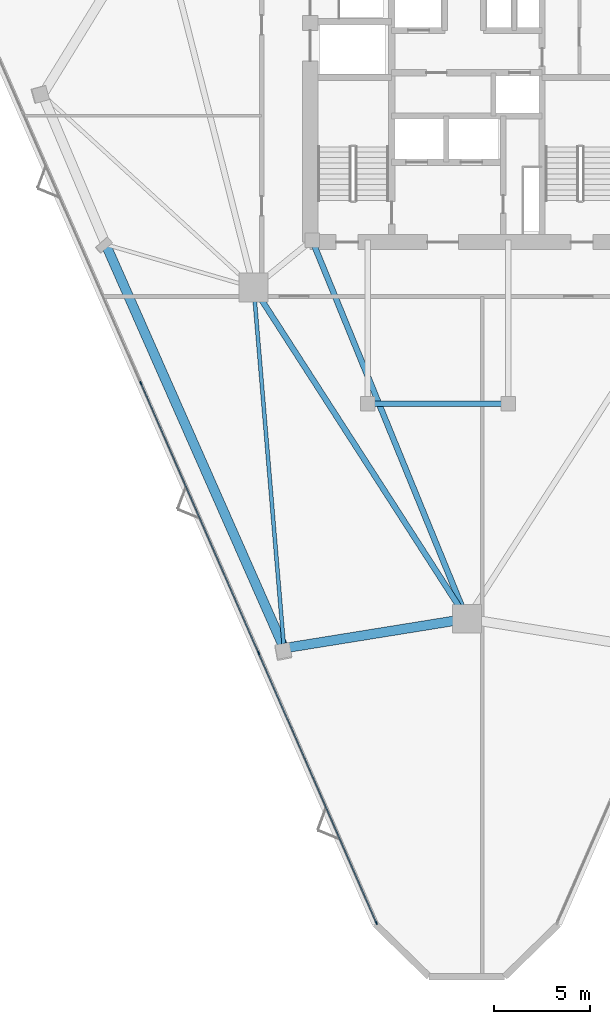
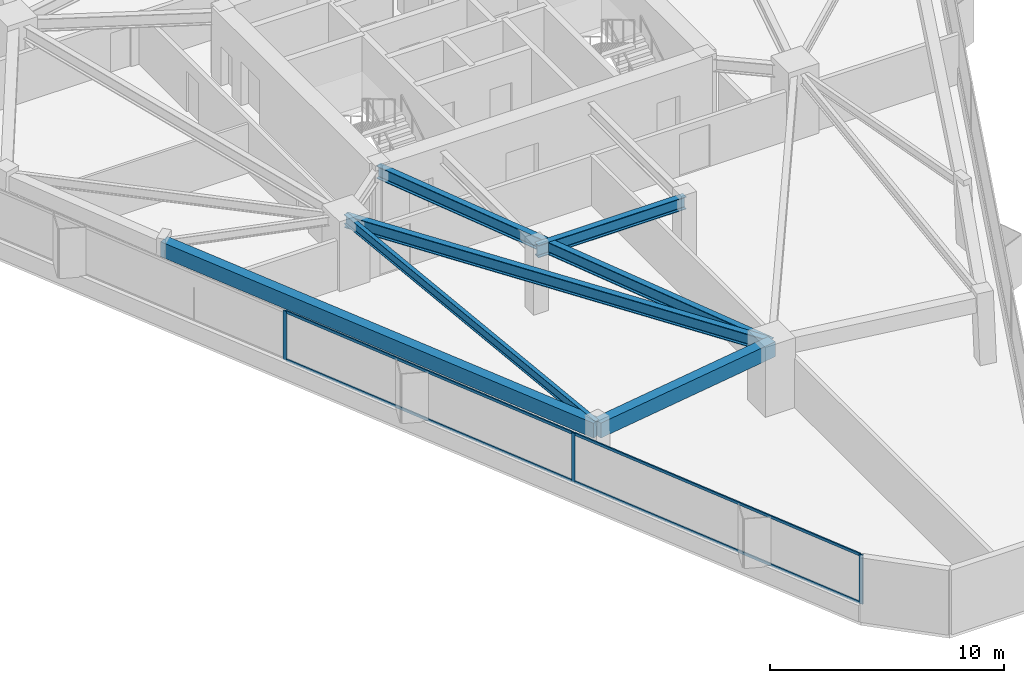
# One storey, part 2 of 14: 7 members, 6 beams, 1 element without a shape of its own.
"""IFC4 building model written with IfcOpenShell, lengths in metres."""

from ifc_helpers import new_model, si_unit, direction, frame, origin, origin_2d, place, context, subcontext, project, spatial, rectangle, i_section, extrude, material, layer, layer_set, material_profile, profile_set, type_object, element, aggregate, save


model = new_model("IFC4")

# Units and contexts
model_context = context("Model", 3, precision=1e-05, world=origin(), true_north=direction((0.0, 1.0)))
body_context = subcontext(model_context, "Body", "Model", "MODEL_VIEW")
ifc_project = project(units=[si_unit("LENGTHUNIT", "METRE"), si_unit("AREAUNIT", "SQUARE_METRE"), si_unit("VOLUMEUNIT", "CUBIC_METRE"), si_unit("PLANEANGLEUNIT", "RADIAN"), si_unit("MASSUNIT", "GRAM", prefix="KILO")], contexts=[model_context])

# Site, building, storey
site_placement = place(None, origin())
site = spatial("IfcSite", under=ifc_project, at=site_placement, CompositionType="ELEMENT")
building_placement = place(site_placement, origin())
building = spatial("IfcBuilding", under=site, at=building_placement, Name="Talyreon Biosciences Tower", CompositionType="ELEMENT")
storey_placement = place(building_placement, frame((0.0, 0.0, 130.85009765625)))
storey = spatial("IfcBuildingStorey", under=building, at=storey_placement, Name="L34", CompositionType="ELEMENT", Elevation=130.85009765625)

# Curtain wall, members
ifc_material_1 = material(Name="Thermally broken aluminium and low-E glazing", Category="aluminium")
ifc_layer = layer(ifc_material_1, 0.18505859375)
ifc_layer_set = layer_set([ifc_layer], Name="Thermally broken aluminium and low-E glazing")
curtain_wall_type = type_object("IfcCurtainWallType", Name="CurtainWall_Zone3Bioprocess", PredefinedType="NOTDEFINED", material=ifc_layer_set)
curtain_wall_placement = place(storey_placement, origin())
curtain_wall = element("IfcCurtainWall", 1, at=curtain_wall_placement, inside=storey, type_object=curtain_wall_type, Name="L34 Unitised Curtain Wall FCW-L34-00", PredefinedType="NOTDEFINED")
ifc_material_2 = material(Name="Anodised thermally broken aluminium", Category="aluminium")
ifc_material_profile_1 = material_profile(ifc_material_2, rectangle(XDim=0.06494140625, YDim=0.179931640625, at=origin_2d()), Name="ALUM MULLION 65x180")
ifc_profile_set_1 = profile_set([ifc_material_profile_1], Name="Anodised thermally broken aluminium")
member_type_1 = type_object("IfcMemberType", Name="CWMullion_65x180", PredefinedType="MULLION", material=ifc_profile_set_1)
member_1_placement = place(storey_placement, frame((61.294677734375, 25.854736328125, 0.809814453125), z_axis=(0.0, 0.0, 1.0), x_axis=(-0.916489607057, -0.400058495919, 0.0)))
member_1 = element("IfcMember", 2, at=member_1_placement, type_object=member_type_1, Name="CW4 mullion 1", PredefinedType="MULLION", context=body_context, shape_type="SweptSolid", body=[
    extrude(rectangle(XDim=0.06494140625, YDim=0.179931640625, at=origin_2d()), origin(), (0.0, 0.0, 1.0), 2.565185546875),
])
member_2_placement = place(storey_placement, frame((55.1767578125, 39.869873046875, 0.809814453125), z_axis=(0.0, 0.0, 1.0), x_axis=(-0.916489607057, -0.400058495919, 0.0)))
member_2 = element("IfcMember", 3, at=member_2_placement, type_object=member_type_1, Name="CW4 mullion 2", PredefinedType="MULLION", context=body_context, shape_type="SweptSolid", body=[
    extrude(rectangle(XDim=0.06494140625, YDim=0.179931640625, at=origin_2d()), origin(), (0.0, 0.0, 1.0), 2.565185546875),
])
member_3_placement = place(storey_placement, frame((49.046142578125, 53.914794921875, 0.809814453125), z_axis=(0.0, 0.0, 1.0), x_axis=(-0.916489607057, -0.400058495919, 0.0)))
member_3 = element("IfcMember", 4, at=member_3_placement, type_object=member_type_1, Name="CW4 mullion 3", PredefinedType="MULLION", context=body_context, shape_type="SweptSolid", body=[
    extrude(rectangle(XDim=0.06494140625, YDim=0.179931640625, at=origin_2d()), origin(), (0.0, 0.0, 1.0), 2.565185546875),
])
ifc_material_profile_2 = material_profile(ifc_material_2, rectangle(XDim=0.06494140625, YDim=0.139892578125, at=origin_2d()), Name="ALUM TRANSOM 65x140")
ifc_profile_set_2 = profile_set([ifc_material_profile_2], Name="Anodised thermally broken aluminium")
member_type_2 = type_object("IfcMemberType", Name="CWTransom_65x140", PredefinedType="USERDEFINED", material=ifc_profile_set_2)
member_4_placement = place(storey_placement, frame((61.281494140625, 25.884521484375, 0.84228515625), z_axis=(-0.400046570574, 0.916494812518, 0.0), x_axis=(-0.916494812518, -0.400046570574, 0.0)))
member_4 = element("IfcMember", 5, at=member_4_placement, type_object=member_type_2, Name="CW4 transom 1.1", ObjectType="TRANSOM", PredefinedType="USERDEFINED", context=body_context, shape_type="SweptSolid", body=[
    extrude(rectangle(XDim=0.06494140625, YDim=0.139892578125, at=origin_2d()), origin(), (0.0, 0.0, 1.0), 15.22705078125),
])
member_5_placement = place(storey_placement, frame((61.281494140625, 25.884521484375, 3.34228515625), z_axis=(-0.400046570574, 0.916494812518, 0.0), x_axis=(-0.916494812518, -0.400046570574, 0.0)))
member_5 = element("IfcMember", 6, at=member_5_placement, type_object=member_type_2, Name="CW4 transom 1.2", ObjectType="TRANSOM", PredefinedType="USERDEFINED", context=body_context, shape_type="SweptSolid", body=[
    extrude(rectangle(XDim=0.06494140625, YDim=0.139892578125, at=origin_2d()), origin(), (0.0, 0.0, 1.0), 15.22705078125),
])
member_6_placement = place(storey_placement, frame((55.163818359375, 39.899658203125, 0.84228515625), z_axis=(-0.400056615307, 0.916490427964, 0.0), x_axis=(-0.916490427964, -0.400056615307, 0.0)))
member_6 = element("IfcMember", 7, at=member_6_placement, type_object=member_type_2, Name="CW4 transom 2.1", ObjectType="TRANSOM", PredefinedType="USERDEFINED", context=body_context, shape_type="SweptSolid", body=[
    extrude(rectangle(XDim=0.06494140625, YDim=0.139892578125, at=origin_2d()), origin(), (0.0, 0.0, 1.0), 15.259765625),
])
member_7_placement = place(storey_placement, frame((55.163818359375, 39.899658203125, 3.34228515625), z_axis=(-0.400056615307, 0.916490427964, 0.0), x_axis=(-0.916490427964, -0.400056615307, 0.0)))
member_7 = element("IfcMember", 8, at=member_7_placement, type_object=member_type_2, Name="CW4 transom 2.2", ObjectType="TRANSOM", PredefinedType="USERDEFINED", context=body_context, shape_type="SweptSolid", body=[
    extrude(rectangle(XDim=0.06494140625, YDim=0.139892578125, at=origin_2d()), origin(), (0.0, 0.0, 1.0), 15.259765625),
])
aggregate(curtain_wall, [member_1, member_2, member_3, member_4, member_5, member_6, member_7])

# Beams
ifc_material_3 = material(Name="Precast concrete C45/55", Category="concrete")
ifc_material_profile_3 = material_profile(ifc_material_3, rectangle(XDim=0.5, YDim=0.780029296875, at=origin_2d()), Name="RCB 500x780")
ifc_profile_set_3 = profile_set([ifc_material_profile_3], Name="Precast concrete C45/55")
beam_type_1 = type_object("IfcBeamType", Name="ExpressedSpandrel_500x780", PredefinedType="SPANDREL", material=ifc_profile_set_3)
beam_1_placement = place(storey_placement, frame((47.2255859375, 61.121337890625, 2.98486328125), z_axis=(0.403936495316, -0.914787028631, 0.0), x_axis=(0.914787028631, 0.403936495316, 0.0)))
element("IfcBeam", 9, at=beam_1_placement, inside=storey, type_object=beam_type_1, Name="L34 Expressed Horizontal Concrete Spandrel 11", PredefinedType="SPANDREL", context=body_context, shape_type="SweptSolid", body=[
    extrude(rectangle(XDim=0.5, YDim=0.780029296875, at=origin_2d()), origin(), (0.0, 0.0, 1.0), 22.942626953125),
])
beam_2_placement = place(storey_placement, frame((56.492919921875, 40.1337890625, 2.98486328125), z_axis=(0.987244334547, 0.159212511773, 0.0), x_axis=(-0.159212511773, 0.987244334547, 0.0)))
element("IfcBeam", 10, at=beam_2_placement, inside=storey, type_object=beam_type_1, Name="L34 Expressed Horizontal Concrete Spandrel 12", PredefinedType="SPANDREL", context=body_context, shape_type="SweptSolid", body=[
    extrude(rectangle(XDim=0.5, YDim=0.780029296875, at=origin_2d()), origin(), (0.0, 0.0, 1.0), 9.6298828125),
])
ifc_material_4 = material(Name="Steel SM355", Category="steel")
ifc_material_profile_4 = material_profile(ifc_material_4, i_section(OverallWidth=0.300048828125, OverallDepth=0.64990234375, WebThickness=0.01611328125, FlangeThickness=0.031005859375, FilletRadius=0.027099609375, at=origin_2d()), Name="HE650B")
ifc_profile_set_4 = profile_set([ifc_material_profile_4], Name="Steel SM355")
beam_type_2 = type_object("IfcBeamType", Name="SteelBeam_HE650B", PredefinedType="BEAM", material=ifc_profile_set_4)
beam_3_placement = place(storey_placement, frame((54.913818359375, 58.88037109375, 3.0498046875), z_axis=(0.541463723609, -0.840724114092, 0.0), x_axis=(0.840724114092, 0.541463723609, 0.0)))
element("IfcBeam", 11, at=beam_3_placement, inside=storey, type_object=beam_type_2, Name="L34 Mega-Ring Girder 6", PredefinedType="BEAM", context=body_context, shape_type="SweptSolid", body=[
    extrude(i_section(OverallWidth=0.300048828125, OverallDepth=0.64990234375, WebThickness=0.01611328125, FlangeThickness=0.031005859375, FilletRadius=0.027099609375, at=origin_2d()), origin(), (0.0, 0.0, 1.0), 20.474365234375),
])
beam_4_placement = place(storey_placement, frame((57.949951171875, 61.35009765625, 3.0498046875), z_axis=(0.378547014545, -0.925582064314, 0.0), x_axis=(0.925582064314, 0.378547014545, 0.0)))
element("IfcBeam", 12, at=beam_4_placement, inside=storey, type_object=beam_type_2, Name="L34 Radial Primary Girder 1", PredefinedType="BEAM", context=body_context, shape_type="SweptSolid", body=[
    extrude(i_section(OverallWidth=0.300048828125, OverallDepth=0.64990234375, WebThickness=0.01611328125, FlangeThickness=0.031005859375, FilletRadius=0.027099609375, at=origin_2d()), origin(), (0.0, 0.0, 1.0), 21.265625),
])
beam_5_placement = place(storey_placement, frame((60.85009765625, 52.840087890625, 3.0498046875), z_axis=(1.0, 0.0, 0.0), x_axis=(0.0, 1.0, 0.0)))
element("IfcBeam", 13, at=beam_5_placement, inside=storey, type_object=beam_type_2, Name="L34 Crown Shaft Spine Girder S", PredefinedType="BEAM", context=body_context, shape_type="SweptSolid", body=[
    extrude(i_section(OverallWidth=0.300048828125, OverallDepth=0.64990234375, WebThickness=0.01611328125, FlangeThickness=0.031005859375, FilletRadius=0.027099609375, at=origin_2d()), origin(), (0.0, 0.0, 1.0), 7.2998046875),
])
ifc_material_profile_5 = material_profile(ifc_material_4, i_section(OverallWidth=0.199951171875, OverallDepth=0.5, WebThickness=0.01025390625, FlangeThickness=0.01611328125, FilletRadius=0.02099609375, at=origin_2d()), Name="IPE500")
ifc_profile_set_5 = profile_set([ifc_material_profile_5], Name="Steel SM355")
beam_type_3 = type_object("IfcBeamType", Name="SteelJoist_IPE500", PredefinedType="JOIST", material=ifc_profile_set_5)
beam_6_placement = place(storey_placement, frame((54.913818359375, 58.88037109375, 3.125), z_axis=(0.08393684942, -0.996471076002, 0.0), x_axis=(0.996471076002, 0.08393684942, 0.0)))
element("IfcBeam", 14, at=beam_6_placement, inside=storey, type_object=beam_type_3, Name="L34 Radial Composite Floor Joist PC-SW2", PredefinedType="JOIST", context=body_context, shape_type="SweptSolid", body=[
    extrude(i_section(OverallWidth=0.199951171875, OverallDepth=0.5, WebThickness=0.01025390625, FlangeThickness=0.01611328125, FilletRadius=0.02099609375, at=origin_2d()), origin(), (0.0, 0.0, 1.0), 18.81298828125),
])

save(model, "model.ifc")
